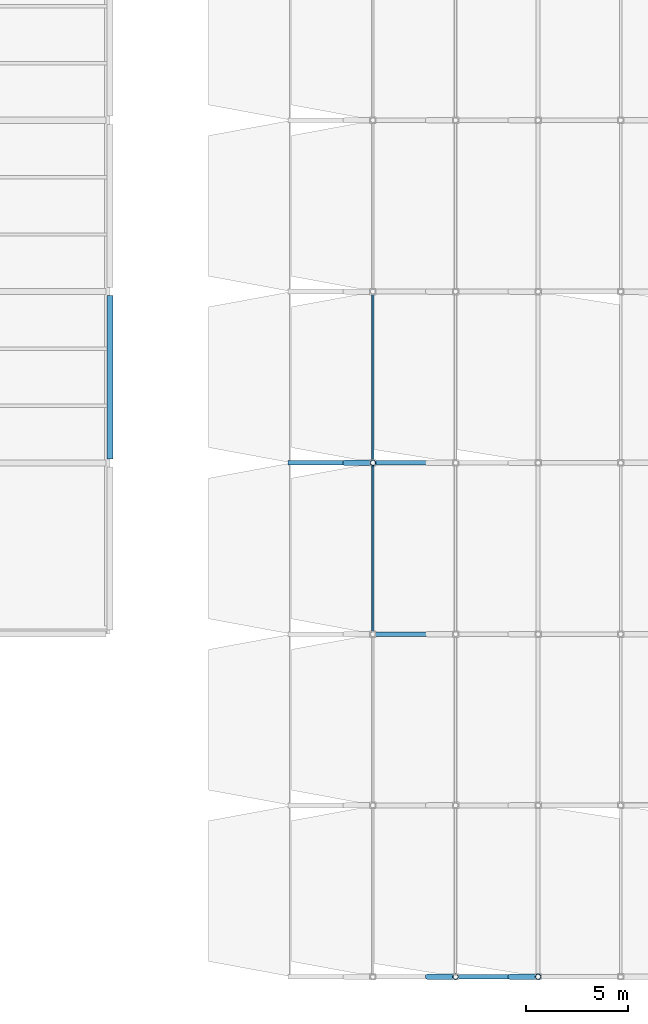
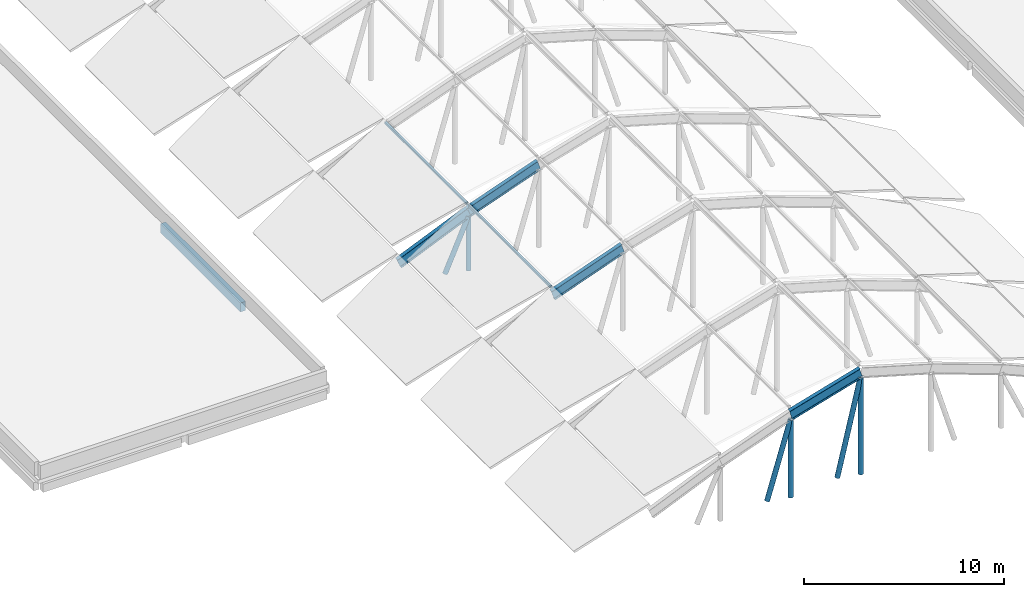
# One storey, part 3 of 22: 8 members, 5 beams.
"""IFC4 building model written with IfcOpenShell, lengths in metres."""

from ifc_helpers import new_model, si_unit, direction, frame, origin, origin_2d, place, context, subcontext, project, spatial, rectangle, hollow_rectangle, hollow_circle, i_section, extrude, material, material_profile, profile_set, type_object, element, save


model = new_model("IFC4")

# Units and contexts
model_context = context("Model", 3, precision=1e-05, world=origin(), true_north=direction((0.0, 1.0)))
body_context = subcontext(model_context, "Body", "Model", "MODEL_VIEW")
ifc_project = project(units=[si_unit("LENGTHUNIT", "METRE"), si_unit("AREAUNIT", "SQUARE_METRE"), si_unit("VOLUMEUNIT", "CUBIC_METRE"), si_unit("PLANEANGLEUNIT", "RADIAN"), si_unit("MASSUNIT", "GRAM", prefix="KILO")], contexts=[model_context])

# Site, building, storey
site_placement = place(None, origin())
site = spatial("IfcSite", under=ifc_project, at=site_placement, CompositionType="ELEMENT")
building_placement = place(site_placement, origin())
building = spatial("IfcBuilding", under=site, at=building_placement, Name="Vireocrest Preparatory School", CompositionType="ELEMENT")
storey_placement = place(building_placement, frame((0.0, 0.0, 25.800048828125)))
storey = spatial("IfcBuildingStorey", under=building, at=storey_placement, Name="RF", CompositionType="ELEMENT", Elevation=25.800048828125)

# Members
ifc_material_1 = material(Name="Painted white steel ASTM A500 Grade C", Category="steel")
ifc_material_profile_1 = material_profile(ifc_material_1, hollow_rectangle(XDim=0.126953125, YDim=0.126953125, WallThickness=0.0087890625, InnerFilletRadius=0.0087890625, OuterFilletRadius=0.017822265625, at=origin_2d()), Name="HSS5X5X3/8")
ifc_profile_set_1 = profile_set([ifc_material_profile_1], Name="Painted white steel ASTM A500 Grade C")
member_type_1 = type_object("IfcMemberType", Name="Canopy Glass Steel Purlin HSS5X5X3/8", PredefinedType="PURLIN", material=ifc_profile_set_1)
member_1_placement = place(storey_placement, frame((71.699951171875, 43.909912109375, 1.33203125), z_axis=(0.0, 1.0, 0.0), x_axis=(-1.0, 0.0, 0.0)))
element("IfcMember", 1, at=member_1_placement, inside=storey, type_object=member_type_1, Name="Canopy Glass Purlin PR2-3-3", PredefinedType="PURLIN", context=body_context, shape_type="SweptSolid", body=[
    extrude(hollow_rectangle(XDim=0.126953125, YDim=0.126953125, WallThickness=0.0087890625, InnerFilletRadius=0.0087890625, OuterFilletRadius=0.017822265625, at=origin_2d()), origin(), (0.0, 0.0, 1.0), 8.18017578125),
])
member_2_placement = place(storey_placement, frame((71.699951171875, 52.31005859375, 1.33203125), z_axis=(0.0, 1.0, 0.0), x_axis=(-1.0, 0.0, 0.0)))
element("IfcMember", 2, at=member_2_placement, inside=storey, type_object=member_type_1, Name="Canopy Glass Purlin PR2-4-3", PredefinedType="PURLIN", context=body_context, shape_type="SweptSolid", body=[
    extrude(hollow_rectangle(XDim=0.126953125, YDim=0.126953125, WallThickness=0.0087890625, InnerFilletRadius=0.0087890625, OuterFilletRadius=0.017822265625, at=origin_2d()), origin(), (0.0, 0.0, 1.0), 8.179931640625),
])

# Beams
ifc_material_2 = material(Name="Structural steel ASTM A992 Grade 50", Category="steel")
ifc_material_profile_2 = material_profile(ifc_material_2, i_section(OverallWidth=0.22802734375, OverallDepth=0.60302734375, WebThickness=0.010498046875, FlangeThickness=0.014892578125, FilletRadius=0.01611328125, at=origin_2d()), Name="W24X68")
ifc_profile_set_2 = profile_set([ifc_material_profile_2], Name="Structural steel ASTM A992 Grade 50")
beam_type_1 = type_object("IfcBeamType", Name="Dining Pavilion Roof Girder W24X68", PredefinedType="BEAM", material=ifc_profile_set_2)
beam_1_placement = place(storey_placement, frame((75.75, 27.0, 2.394287109375), z_axis=(0.960069326573, 0.0, 0.279762199328), x_axis=(0.0, 1.0, 0.0)))
element("IfcBeam", 3, at=beam_1_placement, inside=storey, type_object=beam_type_1, Name="Canopy Rafter Chord SB4-1-4", PredefinedType="BEAM", context=body_context, shape_type="SweptSolid", body=[
    extrude(i_section(OverallWidth=0.22802734375, OverallDepth=0.60302734375, WebThickness=0.010498046875, FlangeThickness=0.014892578125, FilletRadius=0.01611328125, at=origin_2d()), origin(), (0.0, 0.0, 1.0), 4.218505859375),
])
beam_2_placement = place(storey_placement, frame((71.699951171875, 43.800048828125, 0.934326171875), z_axis=(0.9407434664, 0.0, 0.33911905052), x_axis=(0.0, 1.0, 0.0)))
element("IfcBeam", 4, at=beam_2_placement, inside=storey, type_object=beam_type_1, Name="Canopy Rafter Chord SB4-3-3", PredefinedType="BEAM", context=body_context, shape_type="SweptSolid", body=[
    extrude(i_section(OverallWidth=0.22802734375, OverallDepth=0.60302734375, WebThickness=0.010498046875, FlangeThickness=0.014892578125, FilletRadius=0.01611328125, at=origin_2d()), origin(), (0.0, 0.0, 1.0), 4.30517578125),
])
beam_3_placement = place(storey_placement, frame((67.64990234375, 52.199951171875, -0.8056640625), z_axis=(0.918795164694, 0.0, 0.394734651804), x_axis=(0.0, 1.0, 0.0)))
element("IfcBeam", 5, at=beam_3_placement, inside=storey, type_object=beam_type_1, Name="Canopy Rafter Chord SB4-4-2", PredefinedType="BEAM", context=body_context, shape_type="SweptSolid", body=[
    extrude(i_section(OverallWidth=0.22802734375, OverallDepth=0.60302734375, WebThickness=0.010498046875, FlangeThickness=0.014892578125, FilletRadius=0.01611328125, at=origin_2d()), origin(), (0.0, 0.0, 1.0), 4.407958984375),
])
beam_4_placement = place(storey_placement, frame((71.699951171875, 52.199951171875, 0.934326171875), z_axis=(0.9407434664, 0.0, 0.33911905052), x_axis=(0.0, 1.0, 0.0)))
element("IfcBeam", 6, at=beam_4_placement, inside=storey, type_object=beam_type_1, Name="Canopy Rafter Chord SB4-4-3", PredefinedType="BEAM", context=body_context, shape_type="SweptSolid", body=[
    extrude(i_section(OverallWidth=0.22802734375, OverallDepth=0.60302734375, WebThickness=0.010498046875, FlangeThickness=0.014892578125, FilletRadius=0.01611328125, at=origin_2d()), origin(), (0.0, 0.0, 1.0), 4.30517578125),
])
ifc_material_3 = material(Name="Concrete 40 MPa", Category="concrete")
ifc_material_profile_3 = material_profile(ifc_material_3, rectangle(XDim=0.300048828125, YDim=0.550048828125, at=origin_2d()), Name="RC 300x550")
ifc_profile_set_3 = profile_set([ifc_material_profile_3], Name="Concrete 40 MPa")
beam_type_2 = type_object("IfcBeamType", Name="RC Roof Girder 300x550", PredefinedType="BEAM", material=ifc_profile_set_3)
beam_5_placement = place(storey_placement, frame((58.800048828125, 52.39990234375, -0.4951171875), z_axis=(0.0, 1.0, 0.0), x_axis=(-1.0, 0.0, 0.0)))
element("IfcBeam", 7, at=beam_5_placement, inside=storey, type_object=beam_type_2, Name="Primary Girder B02 RF-1715", PredefinedType="BEAM", context=body_context, shape_type="SweptSolid", body=[
    extrude(rectangle(XDim=0.300048828125, YDim=0.550048828125, at=origin_2d()), origin(), (0.0, 0.0, 1.0), 8.0),
])

# Members
ifc_material_profile_4 = material_profile(ifc_material_1, hollow_circle(Radius=0.136474609375, WallThickness=0.0126953125, at=origin_2d()), Name="HSS10.750X0.500")
ifc_profile_set_4 = profile_set([ifc_material_profile_4], Name="Painted white steel ASTM A500 Grade C")
member_type_2 = type_object("IfcMemberType", Name="White Steel Clerestory Strut HSS10.750X0.500", PredefinedType="USERDEFINED", material=ifc_profile_set_4)
member_3_placement = place(storey_placement, frame((75.75, 27.0, -2.62255859375), z_axis=(0.0, 0.0, 1.0), x_axis=(1.0, 0.0, 0.0)))
element("IfcMember", 8, at=member_3_placement, inside=storey, type_object=member_type_2, Name="Canopy Truss Web Vertical VS3-1-4", ObjectType="STRUT", PredefinedType="USERDEFINED", context=body_context, shape_type="SweptSolid", body=[
    extrude(hollow_circle(Radius=0.136474609375, WallThickness=0.0126953125, at=origin_2d()), origin(), (0.0, 0.0, 1.0), 4.740478515625),
])
member_4_placement = place(storey_placement, frame((79.800048828125, 27.0, -2.62255859375), z_axis=(0.0, 0.0, 1.0), x_axis=(1.0, 0.0, 0.0)))
element("IfcMember", 9, at=member_4_placement, inside=storey, type_object=member_type_2, Name="Canopy Truss Web Vertical VS3-1-5", ObjectType="STRUT", PredefinedType="USERDEFINED", context=body_context, shape_type="SweptSolid", body=[
    extrude(hollow_circle(Radius=0.136474609375, WallThickness=0.0126953125, at=origin_2d()), origin(), (0.0, 0.0, 1.0), 5.92041015625),
])
member_5_placement = place(storey_placement, frame((74.39990234375, 27.0, -2.385009765625), z_axis=(0.287195414927, 0.0, 0.957872013186), x_axis=(0.0, 1.0, 0.0)))
element("IfcMember", 10, at=member_5_placement, inside=storey, type_object=member_type_2, Name="Canopy Truss Web Strut VS3-1-3", ObjectType="STRUT", PredefinedType="USERDEFINED", context=body_context, shape_type="SweptSolid", body=[
    extrude(hollow_circle(Radius=0.136474609375, WallThickness=0.0126953125, at=origin_2d()), origin(), (0.0, 0.0, 1.0), 4.700927734375),
])
member_6_placement = place(storey_placement, frame((78.449951171875, 27.0, -2.385009765625), z_axis=(0.231140186577, 0.0, 0.972920456229), x_axis=(0.0, 1.0, 0.0)))
element("IfcMember", 11, at=member_6_placement, inside=storey, type_object=member_type_2, Name="Canopy Truss Web Strut VS3-1-4", ObjectType="STRUT", PredefinedType="USERDEFINED", context=body_context, shape_type="SweptSolid", body=[
    extrude(hollow_circle(Radius=0.136474609375, WallThickness=0.0126953125, at=origin_2d()), origin(), (0.0, 0.0, 1.0), 5.841064453125),
])
member_7_placement = place(storey_placement, frame((71.699951171875, 52.199951171875, -2.62255859375), z_axis=(0.0, 0.0, 1.0), x_axis=(1.0, 0.0, 0.0)))
element("IfcMember", 12, at=member_7_placement, inside=storey, type_object=member_type_2, Name="Canopy Truss Web Vertical VS3-4-3", ObjectType="STRUT", PredefinedType="USERDEFINED", context=body_context, shape_type="SweptSolid", body=[
    extrude(hollow_circle(Radius=0.136474609375, WallThickness=0.0126953125, at=origin_2d()), origin(), (0.0, 0.0, 1.0), 3.280517578125),
])
member_8_placement = place(storey_placement, frame((70.35009765625, 52.199951171875, -2.385009765625), z_axis=(0.405491921788, 0.0, 0.91409862781), x_axis=(0.0, 1.0, 0.0)))
element("IfcMember", 13, at=member_8_placement, inside=storey, type_object=member_type_2, Name="Canopy Truss Web Strut VS3-4-2", ObjectType="STRUT", PredefinedType="USERDEFINED", context=body_context, shape_type="SweptSolid", body=[
    extrude(hollow_circle(Radius=0.136474609375, WallThickness=0.0126953125, at=origin_2d()), origin(), (0.0, 0.0, 1.0), 3.328857421875),
])

save(model, "model.ifc")
